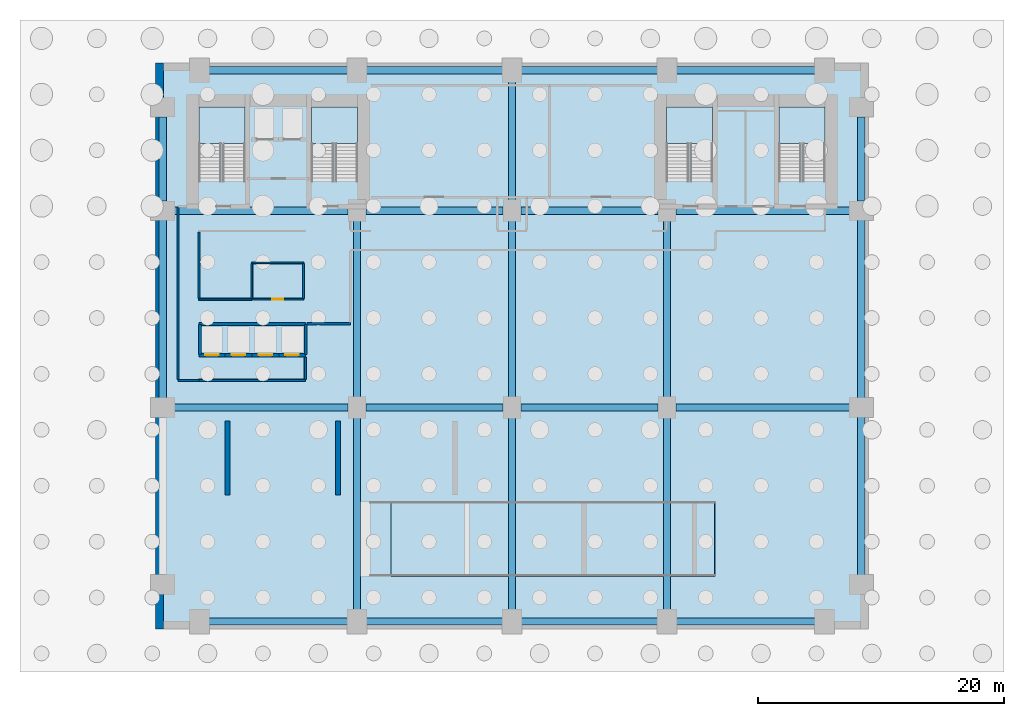
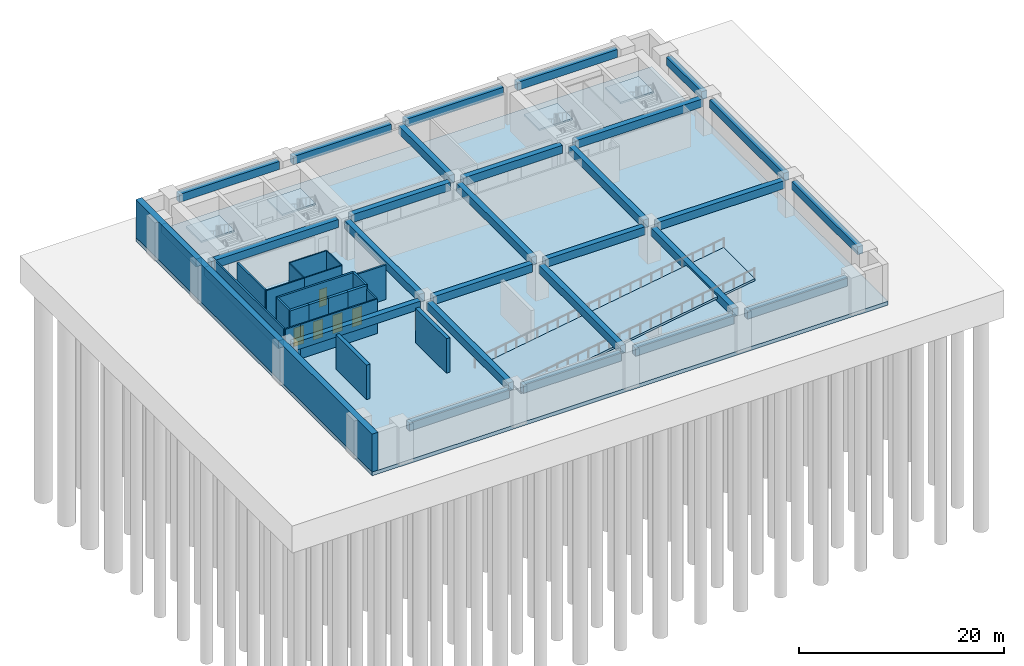
# One storey, part 2 of 8: 28 beams, 21 walls, 6 slabs, 5 doors, 5 openings, 4 elements without a shape of their own.
"""IFC4 building model written with IfcOpenShell, lengths in metres."""

import ifcopenshell
import ifcopenshell.guid

model = None  # the IFC model being written
_history = None  # IfcOwnerHistory: only IFC2X3 demands one
_inside = {}  # id of a spatial element -> (the spatial element, [elements in it])
_under = {}  # id of a project, library or spatial element -> (it, [spatial elements below it])
_declared = {}  # id of a project -> (the project, [libraries it declares])
_typed = {}  # id of a type object -> (the type object, [elements of that type])
_made_of = {}  # id of a material, layer set ... -> (it, [elements and type objects made of it])


def new_model(schema):
    """Start an empty IFC model of exactly this schema.

    Asked for "IFC4X3", IfcOpenShell would pick the latest addendum, in which some entities
    have other attributes; the version numbers below select the first issue.
    IFC2X3 requires an IfcOwnerHistory on every rooted entity: one is made here for all.
    """
    global model, _history
    if schema == "IFC4X3":
        model = ifcopenshell.file(schema_version=(4, 3, 0, 0))
    else:
        model = ifcopenshell.file(schema=schema)
    _inside.clear()
    _under.clear()
    _declared.clear()
    _typed.clear()
    _made_of.clear()
    _history = None
    if model.schema == "IFC2X3":
        org = make("IfcOrganization", Name="unknown")
        user = make(
            "IfcPersonAndOrganization",
            ThePerson=make("IfcPerson", FamilyName="unknown"),
            TheOrganization=org,
        )
        app = make(
            "IfcApplication",
            ApplicationDeveloper=org,
            Version="unknown",
            ApplicationFullName="unknown",
            ApplicationIdentifier="unknown",
        )
        _history = make(
            "IfcOwnerHistory",
            OwningUser=user,
            OwningApplication=app,
            ChangeAction="ADDED",
            CreationDate=0,
        )
    return model


def make(cls, **values):
    """One entity of the class cls with the attributes given. An attribute that is None is left unset."""
    return model.create_entity(
        cls, **{name: value for name, value in values.items() if value is not None}
    )


def rooted(cls, **values):
    """An entity with a GlobalId (a new one), such as an element, a storey or a relation."""
    return make(cls, GlobalId=ifcopenshell.guid.new(), OwnerHistory=_history, **values)


def si_unit(unit_type, name, prefix=None):
    """IfcSIUnit, for example si_unit("LENGTHUNIT", "METRE", prefix="MILLI")."""
    return make("IfcSIUnit", UnitType=unit_type, Prefix=prefix, Name=name)


def assignment(units):
    """IfcUnitAssignment: the units of a project."""
    return None if units is None else make("IfcUnitAssignment", Units=units)


def point(xyz):
    """IfcCartesianPoint."""
    return None if xyz is None else make("IfcCartesianPoint", Coordinates=xyz)


def direction(xyz):
    """IfcDirection."""
    return None if xyz is None else make("IfcDirection", DirectionRatios=xyz)


def frame(location, z_axis=None, x_axis=None):
    """IfcAxis2Placement3D, a coordinate frame: its origin and axes. An axis left out is left unset."""
    return make(
        "IfcAxis2Placement3D",
        Location=point(location),
        Axis=direction(z_axis),
        RefDirection=direction(x_axis),
    )


def frame_2d(location, x_axis=None):
    """IfcAxis2Placement2D, a coordinate frame in the plane: its origin and x axis."""
    return make(
        "IfcAxis2Placement2D", Location=point(location), RefDirection=direction(x_axis)
    )


def origin():
    """The frame at (0, 0, 0) with its axes left unset."""
    return frame((0.0, 0.0, 0.0))


def origin_2d():
    """The frame at (0, 0) in the plane with its x axis left unset."""
    return frame_2d((0.0, 0.0))


def place(relative_to, where):
    """IfcLocalPlacement: puts the frame where relative to a parent placement (None: the world)."""
    return make(
        "IfcLocalPlacement", PlacementRelTo=relative_to, RelativePlacement=where
    )


def context(
    kind, dimensions, precision=None, world=None, true_north=None, identifier=None
):
    """IfcGeometricRepresentationContext, for example the 3D "Model" context."""
    return make(
        "IfcGeometricRepresentationContext",
        ContextIdentifier=identifier,
        ContextType=kind,
        CoordinateSpaceDimension=dimensions,
        Precision=precision,
        WorldCoordinateSystem=world,
        TrueNorth=true_north,
    )


def subcontext(parent, identifier, kind, view, scale=None):
    """IfcGeometricRepresentationSubContext, for example "Body" below "Model"."""
    return make(
        "IfcGeometricRepresentationSubContext",
        ContextIdentifier=identifier,
        ContextType=kind,
        ParentContext=parent,
        TargetScale=scale,
        TargetView=view,
    )


def project(units=None, contexts=None):
    """IfcProject with its units and contexts."""
    return rooted(
        "IfcProject",
        Name="project",
        RepresentationContexts=contexts,
        UnitsInContext=assignment(units),
    )


def spatial(cls, under=None, at=None, **own):
    """A site, building, storey or space (cls), placed at a placement, below another one or the project."""
    s = rooted(cls, ObjectPlacement=at, **own)
    if under is not None:
        _under.setdefault(under.id(), (under, []))[1].append(s)
    return s


def polyline(points):
    """IfcPolyline through the points."""
    return make("IfcPolyline", Points=[point(p) for p in points])


def profile(cls, at=None, kind="AREA", **sizes):
    """A parametric profile (cls). Its sizes go by their IFC names, for example OverallWidth=200.0."""
    return make(cls, ProfileType=kind, Position=at, **sizes)


def rectangle(**sizes):
    """IfcRectangleProfileDef."""
    return profile("IfcRectangleProfileDef", **sizes)


def outline(outer, holes=None, kind="AREA"):
    """IfcArbitraryClosedProfileDef: a profile drawn as a closed curve; with holes, ...WithVoids."""
    if holes is None:
        return make("IfcArbitraryClosedProfileDef", ProfileType=kind, OuterCurve=outer)
    return make(
        "IfcArbitraryProfileDefWithVoids",
        ProfileType=kind,
        OuterCurve=outer,
        InnerCurves=holes,
    )


def extrude(swept, where, along, depth):
    """IfcExtrudedAreaSolid: the profile swept, set in the frame where, extruded along a direction by depth."""
    return make(
        "IfcExtrudedAreaSolid",
        SweptArea=swept,
        Position=where,
        ExtrudedDirection=direction(along),
        Depth=depth,
    )


def shape(context_of_items, identifier, shape_type, items):
    """IfcShapeRepresentation: the items that make up one representation, for example the "Body"."""
    return make(
        "IfcShapeRepresentation",
        ContextOfItems=context_of_items,
        RepresentationIdentifier=identifier,
        RepresentationType=shape_type,
        Items=items,
    )


def material(Name=None, Category=None):
    """IfcMaterial."""
    return make("IfcMaterial", Name=Name, Category=Category)


def layer(
    of_material, thickness, ventilated=None, Name=None, Category=None, Priority=None
):
    """IfcMaterialLayer: one layer of a wall or slab, of a material (None: an air gap)."""
    return make(
        "IfcMaterialLayer",
        Material=of_material,
        LayerThickness=thickness,
        IsVentilated=ventilated,
        Name=Name,
        Category=Category,
        Priority=Priority,
    )


def layer_set(layers, Name=None):
    """IfcMaterialLayerSet."""
    return make("IfcMaterialLayerSet", MaterialLayers=layers, LayerSetName=Name)


def material_profile(
    of_material, cross_section, Name=None, Category=None, Priority=None
):
    """IfcMaterialProfile: a cross section and its material."""
    return make(
        "IfcMaterialProfile",
        Name=Name,
        Material=of_material,
        Profile=cross_section,
        Priority=Priority,
        Category=Category,
    )


def profile_set(profiles, Name=None, composite=None):
    """IfcMaterialProfileSet."""
    return make(
        "IfcMaterialProfileSet",
        Name=Name,
        MaterialProfiles=profiles,
        CompositeProfile=composite,
    )


def made_of(thing, what):
    """Note that an element or type object is made of a material, layer set ...; save() writes the relation."""
    if what is not None:
        _made_of.setdefault(what.id(), (what, []))[1].append(thing)
    return thing


def type_object(cls, material=None, **own):
    """A type object (cls), such as IfcWallType, which elements share."""
    return made_of(rooted(cls, **own), material)


def element(
    cls,
    number,
    at=None,
    inside=None,
    cuts=None,
    type_object=None,
    material=None,
    context=None,
    identifier="Body",
    shape_type=None,
    held_by="IfcProductDefinitionShape",
    body=None,
    shapes=None,
    **own,
):
    """One element of the class cls, such as IfcWall. Its Tag is "e" and its number.

    at: its placement. inside: the storey or other place that contains it. cuts: it is an
    opening in that element (IfcRelVoidsElement). A single representation is given by context,
    identifier, shape_type and body (its items); several are given by shapes. held_by: the class
    of the entity that holds the representations. save() writes the other relations.
    """
    e = rooted(cls, Tag="e%d" % number, ObjectPlacement=at, **own)
    if body is not None:
        shapes = [shape(context, identifier, shape_type, body)]
    if shapes is not None:
        e.Representation = make(held_by, Representations=shapes)
    if inside is not None:
        _inside.setdefault(inside.id(), (inside, []))[1].append(e)
    if cuts is not None:
        rooted(
            "IfcRelVoidsElement", RelatingBuildingElement=cuts, RelatedOpeningElement=e
        )
    if type_object is not None:
        _typed.setdefault(type_object.id(), (type_object, []))[1].append(e)
    return made_of(e, material)


def fill(opening, filler):
    """IfcRelFillsElement: the door or window that sits in an opening."""
    return rooted(
        "IfcRelFillsElement",
        RelatingOpeningElement=opening,
        RelatedBuildingElement=filler,
    )


def aggregate(whole, parts):
    """IfcRelAggregates: a whole, such as a stair, and the parts it consists of."""
    return rooted("IfcRelAggregates", RelatingObject=whole, RelatedObjects=parts)


def save(model, path):
    """Write the relations noted so far, then the file.

    IfcRelAggregates (storeys below a building ...), IfcRelContainedInSpatialStructure (elements
    in a storey), IfcRelDefinesByType, IfcRelAssociatesMaterial and IfcRelDeclares: one each for
    every whole, place, type object, material and project.
    """
    for whole, parts in _under.values():
        aggregate(whole, parts)
    for where, things in _inside.values():
        rooted(
            "IfcRelContainedInSpatialStructure",
            RelatedElements=things,
            RelatingStructure=where,
        )
    for kind, things in _typed.values():
        rooted("IfcRelDefinesByType", RelatedObjects=things, RelatingType=kind)
    for what, things in _made_of.values():
        rooted("IfcRelAssociatesMaterial", RelatedObjects=things, RelatingMaterial=what)
    for by, libraries in _declared.values():
        rooted("IfcRelDeclares", RelatingContext=by, RelatedDefinitions=libraries)
    model.write(path)


model = new_model("IFC4")

# Units and contexts
model_context = context("Model", 3, precision=1e-05, world=origin(), true_north=direction((0.0, 1.0)))
body_context = subcontext(model_context, "Body", "Model", "MODEL_VIEW")
ifc_project = project(units=[si_unit("LENGTHUNIT", "METRE"), si_unit("AREAUNIT", "SQUARE_METRE"), si_unit("VOLUMEUNIT", "CUBIC_METRE"), si_unit("PLANEANGLEUNIT", "RADIAN"), si_unit("MASSUNIT", "GRAM", prefix="KILO")], contexts=[model_context])

# Site, building, storey
site_placement = place(None, origin())
site = spatial("IfcSite", under=ifc_project, at=site_placement, CompositionType="ELEMENT")
building_placement = place(site_placement, origin())
building = spatial("IfcBuilding", under=site, at=building_placement, Name="Sulina Concourse Tower", CompositionType="ELEMENT")
storey_placement = place(building_placement, frame((0.0, 0.0, -9.0)))
storey = spatial("IfcBuildingStorey", under=building, at=storey_placement, Name="B2", CompositionType="ELEMENT", Elevation=-9.0)

# Beams
ifc_material_1 = material(Name="Concrete C60/75", Category="concrete")
ifc_material_profile = material_profile(ifc_material_1, rectangle(XDim=0.60009765625, YDim=0.949951171875, at=origin_2d()), Name="RC 600x950")
ifc_profile_set = profile_set([ifc_material_profile], Name="Concrete C60/75")
beam_type = type_object("IfcBeamType", Name="Basement & Podium Primary Beam 600x950", PredefinedType="BEAM", material=ifc_profile_set)
for number, where, z_axis, x_axis, name in (
    (1, (4.3798828125, 0.60009765625, 3.625), (1.0, 0.0, 0.0), (0.0, 1.0, 0.0), "PB-S1-B2"),
    (2, (4.3798828125, 45.39990234375, 3.625), (1.0, 0.0, 0.0), (0.0, 1.0, 0.0), "PB-N1-B2"),
):
    element("IfcBeam", number, at=place(storey_placement, frame(where, z_axis=z_axis, x_axis=x_axis)), inside=storey, type_object=beam_type, Name=name, PredefinedType="BEAM", context=body_context, shape_type="SweptSolid", body=[
        extrude(rectangle(XDim=0.60009765625, YDim=0.949951171875, at=origin_2d()), origin(), (0.0, 0.0, 1.0), 11.240234375),
    ])
for number, where, z_axis, x_axis, name in (
    (3, (1.3798828125, 18.0, 3.625), (1.0, 0.0, 0.0), (0.0, 1.0, 0.0), "PB-M0-B2"),
    (4, (1.3798828125, 34.0, 3.625), (1.0, 0.0, 0.0), (0.0, 1.0, 0.0), "PB-C0-B2"),
):
    element("IfcBeam", number, at=place(storey_placement, frame(where, z_axis=z_axis, x_axis=x_axis)), inside=storey, type_object=beam_type, Name=name, PredefinedType="BEAM", context=body_context, shape_type="SweptSolid", body=[
        extrude(rectangle(XDim=0.60009765625, YDim=0.949951171875, at=origin_2d()), origin(), (0.0, 0.0, 1.0), 14.2900390625),
    ])
for number, where, z_axis, x_axis, name in (
    (5, (17.179931640625, 0.60009765625, 3.625), (1.0, 0.0, 0.0), (0.0, 1.0, 0.0), "PB-S2-B2"),
    (6, (17.179931640625, 45.39990234375, 3.625), (1.0, 0.0, 0.0), (0.0, 1.0, 0.0), "PB-N2-B2"),
):
    element("IfcBeam", number, at=place(storey_placement, frame(where, z_axis=z_axis, x_axis=x_axis)), inside=storey, type_object=beam_type, Name=name, PredefinedType="BEAM", context=body_context, shape_type="SweptSolid", body=[
        extrude(rectangle(XDim=0.60009765625, YDim=0.949951171875, at=origin_2d()), origin(), (0.0, 0.0, 1.0), 11.0400390625),
    ])
for number, where, z_axis, x_axis, name in (
    (7, (17.1298828125, 18.0, 3.625), (1.0, 0.0, 0.0), (0.0, 1.0, 0.0), "PB-M2-B2"),
    (8, (17.1298828125, 34.0, 3.625), (1.0, 0.0, 0.0), (0.0, 1.0, 0.0), "PB-C2-B2"),
):
    element("IfcBeam", number, at=place(storey_placement, frame(where, z_axis=z_axis, x_axis=x_axis)), inside=storey, type_object=beam_type, Name=name, PredefinedType="BEAM", context=body_context, shape_type="SweptSolid", body=[
        extrude(rectangle(XDim=0.60009765625, YDim=0.949951171875, at=origin_2d()), origin(), (0.0, 0.0, 1.0), 11.14013671875),
    ])
for number, where, z_axis, x_axis, name in (
    (9, (29.780029296875, 0.60009765625, 3.625), (1.0, 0.0, 0.0), (0.0, 1.0, 0.0), "PB-S3-B2"),
    (10, (29.780029296875, 45.39990234375, 3.625), (1.0, 0.0, 0.0), (0.0, 1.0, 0.0), "PB-N3-B2"),
):
    element("IfcBeam", number, at=place(storey_placement, frame(where, z_axis=z_axis, x_axis=x_axis)), inside=storey, type_object=beam_type, Name=name, PredefinedType="BEAM", context=body_context, shape_type="SweptSolid", body=[
        extrude(rectangle(XDim=0.60009765625, YDim=0.949951171875, at=origin_2d()), origin(), (0.0, 0.0, 1.0), 11.0400390625),
    ])
for number, where, z_axis, x_axis, name in (
    (11, (29.72998046875, 18.0, 3.625), (1.0, 0.0, 0.0), (0.0, 1.0, 0.0), "PB-M3-B2"),
    (12, (29.72998046875, 34.0, 3.625), (1.0, 0.0, 0.0), (0.0, 1.0, 0.0), "PB-C3-B2"),
):
    element("IfcBeam", number, at=place(storey_placement, frame(where, z_axis=z_axis, x_axis=x_axis)), inside=storey, type_object=beam_type, Name=name, PredefinedType="BEAM", context=body_context, shape_type="SweptSolid", body=[
        extrude(rectangle(XDim=0.60009765625, YDim=0.949951171875, at=origin_2d()), origin(), (0.0, 0.0, 1.0), 11.14013671875),
    ])
for number, where, z_axis, x_axis, name in (
    (13, (42.3798828125, 0.60009765625, 3.625), (1.0, 0.0, 0.0), (0.0, 1.0, 0.0), "PB-S4-B2"),
    (14, (42.3798828125, 45.39990234375, 3.625), (1.0, 0.0, 0.0), (0.0, 1.0, 0.0), "PB-N4-B2"),
):
    element("IfcBeam", number, at=place(storey_placement, frame(where, z_axis=z_axis, x_axis=x_axis)), inside=storey, type_object=beam_type, Name=name, PredefinedType="BEAM", context=body_context, shape_type="SweptSolid", body=[
        extrude(rectangle(XDim=0.60009765625, YDim=0.949951171875, at=origin_2d()), origin(), (0.0, 0.0, 1.0), 11.240234375),
    ])
for number, where, z_axis, x_axis, name in (
    (15, (42.330078125, 18.0, 3.625), (1.0, 0.0, 0.0), (0.0, 1.0, 0.0), "PB-M5-B2"),
    (16, (42.330078125, 34.0, 3.625), (1.0, 0.0, 0.0), (0.0, 1.0, 0.0), "PB-C5-B2"),
):
    element("IfcBeam", number, at=place(storey_placement, frame(where, z_axis=z_axis, x_axis=x_axis)), inside=storey, type_object=beam_type, Name=name, PredefinedType="BEAM", context=body_context, shape_type="SweptSolid", body=[
        extrude(rectangle(XDim=0.60009765625, YDim=0.949951171875, at=origin_2d()), origin(), (0.0, 0.0, 1.0), 14.2900390625),
    ])
beam_1_placement = place(storey_placement, frame((57.39990234375, 4.3798828125, 3.625), z_axis=(0.0, 1.0, 0.0), x_axis=(-1.0, 0.0, 0.0)))
element("IfcBeam", 17, at=beam_1_placement, inside=storey, type_object=beam_type, Name="PB-E1-B2", PredefinedType="BEAM", context=body_context, shape_type="SweptSolid", body=[
    extrude(rectangle(XDim=0.60009765625, YDim=0.949951171875, at=origin_2d()), origin(), (0.0, 0.0, 1.0), 12.840087890625),
])
for number, where, z_axis, x_axis, name in (
    (18, (0.60009765625, 18.780029296875, 3.625), (0.0, 1.0, 0.0), (-1.0, 0.0, 0.0), "PB-W2-B2"),
    (19, (57.39990234375, 18.780029296875, 3.625), (0.0, 1.0, 0.0), (-1.0, 0.0, 0.0), "PB-E2-B2"),
):
    element("IfcBeam", number, at=place(storey_placement, frame(where, z_axis=z_axis, x_axis=x_axis)), inside=storey, type_object=beam_type, Name=name, PredefinedType="BEAM", context=body_context, shape_type="SweptSolid", body=[
        extrude(rectangle(XDim=0.60009765625, YDim=0.949951171875, at=origin_2d()), origin(), (0.0, 0.0, 1.0), 14.43994140625),
    ])
for number, where, z_axis, x_axis, name in (
    (20, (0.60009765625, 34.780029296875, 3.625), (0.0, 1.0, 0.0), (-1.0, 0.0, 0.0), "PB-W3-B2"),
    (21, (57.39990234375, 34.780029296875, 3.625), (0.0, 1.0, 0.0), (-1.0, 0.0, 0.0), "PB-E3-B2"),
):
    element("IfcBeam", number, at=place(storey_placement, frame(where, z_axis=z_axis, x_axis=x_axis)), inside=storey, type_object=beam_type, Name=name, PredefinedType="BEAM", context=body_context, shape_type="SweptSolid", body=[
        extrude(rectangle(XDim=0.60009765625, YDim=0.949951171875, at=origin_2d()), origin(), (0.0, 0.0, 1.0), 6.840087890625),
    ])
beam_2_placement = place(storey_placement, frame((16.39990234375, 1.3798828125, 3.625), z_axis=(0.0, 1.0, 0.0), x_axis=(-1.0, 0.0, 0.0)))
element("IfcBeam", 22, at=beam_2_placement, inside=storey, type_object=beam_type, Name="PB-NS1A-B2", PredefinedType="BEAM", context=body_context, shape_type="SweptSolid", body=[
    extrude(rectangle(XDim=0.60009765625, YDim=0.949951171875, at=origin_2d()), origin(), (0.0, 0.0, 1.0), 15.89013671875),
])
beam_3_placement = place(storey_placement, frame((16.39990234375, 18.72998046875, 3.625), z_axis=(0.0, 1.0, 0.0), x_axis=(-1.0, 0.0, 0.0)))
element("IfcBeam", 23, at=beam_3_placement, inside=storey, type_object=beam_type, Name="PB-NS1B-B2", PredefinedType="BEAM", context=body_context, shape_type="SweptSolid", body=[
    extrude(rectangle(XDim=0.60009765625, YDim=0.949951171875, at=origin_2d()), origin(), (0.0, 0.0, 1.0), 14.5400390625),
])
beam_4_placement = place(storey_placement, frame((29.0, 1.3798828125, 3.625), z_axis=(0.0, 1.0, 0.0), x_axis=(-1.0, 0.0, 0.0)))
element("IfcBeam", 24, at=beam_4_placement, inside=storey, type_object=beam_type, Name="PB-NS2A-B2", PredefinedType="BEAM", context=body_context, shape_type="SweptSolid", body=[
    extrude(rectangle(XDim=0.60009765625, YDim=0.949951171875, at=origin_2d()), origin(), (0.0, 0.0, 1.0), 15.89013671875),
])
beam_5_placement = place(storey_placement, frame((29.0, 18.72998046875, 3.625), z_axis=(0.0, 1.0, 0.0), x_axis=(-1.0, 0.0, 0.0)))
element("IfcBeam", 25, at=beam_5_placement, inside=storey, type_object=beam_type, Name="PB-NS2B-B2", PredefinedType="BEAM", context=body_context, shape_type="SweptSolid", body=[
    extrude(rectangle(XDim=0.60009765625, YDim=0.949951171875, at=origin_2d()), origin(), (0.0, 0.0, 1.0), 14.5400390625),
])
beam_6_placement = place(storey_placement, frame((29.0, 34.72998046875, 3.625), z_axis=(0.0, 1.0, 0.0), x_axis=(-1.0, 0.0, 0.0)))
element("IfcBeam", 26, at=beam_6_placement, inside=storey, type_object=beam_type, Name="PB-NS2C-B2", PredefinedType="BEAM", context=body_context, shape_type="SweptSolid", body=[
    extrude(rectangle(XDim=0.60009765625, YDim=0.949951171875, at=origin_2d()), origin(), (0.0, 0.0, 1.0), 9.89013671875),
])
beam_7_placement = place(storey_placement, frame((41.60009765625, 1.3798828125, 3.625), z_axis=(0.0, 1.0, 0.0), x_axis=(-1.0, 0.0, 0.0)))
element("IfcBeam", 27, at=beam_7_placement, inside=storey, type_object=beam_type, Name="PB-NS3A-B2", PredefinedType="BEAM", context=body_context, shape_type="SweptSolid", body=[
    extrude(rectangle(XDim=0.60009765625, YDim=0.949951171875, at=origin_2d()), origin(), (0.0, 0.0, 1.0), 15.89013671875),
])
beam_8_placement = place(storey_placement, frame((41.60009765625, 18.72998046875, 3.625), z_axis=(0.0, 1.0, 0.0), x_axis=(-1.0, 0.0, 0.0)))
element("IfcBeam", 28, at=beam_8_placement, inside=storey, type_object=beam_type, Name="PB-NS3B-B2", PredefinedType="BEAM", context=body_context, shape_type="SweptSolid", body=[
    extrude(rectangle(XDim=0.60009765625, YDim=0.949951171875, at=origin_2d()), origin(), (0.0, 0.0, 1.0), 14.5400390625),
])

# Slabs
ifc_material_2 = material(Name="Concrete C50/60", Category="concrete")
ifc_layer_1 = layer(ifc_material_2, 0.449951171875)
ifc_layer_set_1 = layer_set([ifc_layer_1], Name="Concrete C50/60")
slab_type_1 = type_object("IfcSlabType", Name="Basement Structural Base Slab 450mm", PredefinedType="BASESLAB", material=ifc_layer_set_1)
slab_1_placement = place(storey_placement, frame((0.0, 0.0, -0.449951171875)))
element("IfcSlab", 29, at=slab_1_placement, inside=storey, type_object=slab_type_1, Name="B2 structural base slab", PredefinedType="BASESLAB", context=body_context, shape_type="SweptSolid", body=[
    extrude(outline(polyline([(0.0, 0.0), (58.0, 0.0), (58.0, 46.0), (0.0, 46.0), (0.0, 0.0)])), origin(), (0.0, 0.0, 1.0), 0.449951171875),
])
ifc_material_3 = material(Name="Concrete C50/60", Category="concrete")
ifc_layer_2 = layer(ifc_material_3, 0.25)
ifc_layer_set_2 = layer_set([ifc_layer_2], Name="Concrete C50/60")
slab_type_2 = type_object("IfcSlabType", Name="High-Rise Composite Floor Slab 250mm", PredefinedType="FLOOR", material=ifc_layer_set_2)
slab_2_placement = place(storey_placement, frame((19.14990234375, 4.25, 0.26513671875), z_axis=(-0.158680645189, 0.0, 0.987329961483), x_axis=(0.0, 1.0, 0.0)))
element("IfcSlab", 30, at=slab_2_placement, inside=storey, type_object=slab_type_2, Name="B2 structural concrete vehicle ramp slab RMP-VEH-B2", PredefinedType="FLOOR", context=body_context, shape_type="SweptSolid", body=[
    extrude(outline(polyline([(0.0, 0.0), (6.10009765625, 0.0), (6.10009765625, -26.66796223366707), (0.0, -26.66796223366707), (0.0, 0.0)])), origin(), (0.0, 0.0, -1.0), 0.25),
])

# Stair, slab
ifc_material_4 = material(Name="Concrete C50/60", Category="concrete")
stair_type_1 = type_object("IfcStairType", Name="Primary Core Dog-Leg Exit Stair 1800mm", PredefinedType="HALF_TURN_STAIR", material=ifc_material_4)
stair_1_placement = place(storey_placement, origin())
stair_1 = element("IfcStair", 31, at=stair_1_placement, inside=storey, type_object=stair_type_1, Name="B2 ST-1", PredefinedType="HALF_TURN_STAIR")
ifc_material_5 = material(Name="Concrete C50/60", Category="concrete")
ifc_layer_3 = layer(ifc_material_5, 0.199951171875)
ifc_layer_set_3 = layer_set([ifc_layer_3], Name="Concrete C50/60")
slab_type_3 = type_object("IfcSlabType", Name="Primary Core Stair Landing Slab 200mm", PredefinedType="LANDING", material=ifc_layer_set_3)
slab_3_placement = place(storey_placement, frame((0.0, 0.0, 2.050048828125)))
slab_3 = element("IfcSlab", 32, at=slab_3_placement, type_object=slab_type_3, Name="ST-1 landing 1", PredefinedType="LANDING", context=body_context, shape_type="SweptSolid", body=[
    extrude(outline(polyline([(7.304931640625, 39.455078125), (7.304931640625, 42.425048828125), (3.554931640625, 42.425048828125), (3.554931640625, 39.455078125), (7.304931640625, 39.455078125)])), origin(), (0.0, 0.0, 1.0), 0.199951171875),
])
aggregate(stair_1, [slab_3])

stair_2_placement = place(storey_placement, origin())
stair_2 = element("IfcStair", 33, at=stair_2_placement, inside=storey, type_object=stair_type_1, Name="B2 ST-2", PredefinedType="HALF_TURN_STAIR")
slab_4_placement = place(storey_placement, frame((0.0, 0.0, 2.050048828125)))
slab_4 = element("IfcSlab", 34, at=slab_4_placement, type_object=slab_type_3, Name="ST-2 landing 1", PredefinedType="LANDING", context=body_context, shape_type="SweptSolid", body=[
    extrude(outline(polyline([(16.445068359375, 39.455078125), (16.445068359375, 42.425048828125), (12.695068359375, 42.425048828125), (12.695068359375, 39.455078125), (16.445068359375, 39.455078125)])), origin(), (0.0, 0.0, 1.0), 0.199951171875),
])
aggregate(stair_2, [slab_4])

ifc_material_6 = material(Name="Concrete C50/60", Category="concrete")
stair_type_2 = type_object("IfcStairType", Name="Portal & Podium Core Exit Stair 1820mm", PredefinedType="HALF_TURN_STAIR", material=ifc_material_6)
stair_3_placement = place(storey_placement, origin())
stair_3 = element("IfcStair", 35, at=stair_3_placement, inside=storey, type_object=stair_type_2, Name="B2 ST-3", PredefinedType="HALF_TURN_STAIR")
slab_5_placement = place(storey_placement, frame((0.0, 0.0, 2.050048828125)))
slab_5 = element("IfcSlab", 36, at=slab_5_placement, type_object=slab_type_3, Name="ST-3 landing 1", PredefinedType="LANDING", context=body_context, shape_type="SweptSolid", body=[
    extrude(outline(polyline([(45.304931640625, 39.455078125), (45.304931640625, 42.425048828125), (41.554931640625, 42.425048828125), (41.554931640625, 39.455078125), (45.304931640625, 39.455078125)])), origin(), (0.0, 0.0, 1.0), 0.199951171875),
])
aggregate(stair_3, [slab_5])

stair_4_placement = place(storey_placement, origin())
stair_4 = element("IfcStair", 37, at=stair_4_placement, inside=storey, type_object=stair_type_2, Name="B2 ST-4", PredefinedType="HALF_TURN_STAIR")
slab_6_placement = place(storey_placement, frame((0.0, 0.0, 2.050048828125)))
slab_6 = element("IfcSlab", 38, at=slab_6_placement, type_object=slab_type_3, Name="ST-4 landing 1", PredefinedType="LANDING", context=body_context, shape_type="SweptSolid", body=[
    extrude(outline(polyline([(54.445068359375, 39.455078125), (54.445068359375, 42.425048828125), (50.695068359375, 42.425048828125), (50.695068359375, 39.455078125), (54.445068359375, 39.455078125)])), origin(), (0.0, 0.0, 1.0), 0.199951171875),
])
aggregate(stair_4, [slab_6])

# Walls
ifc_material_7 = material(Name="Concrete C50/60", Category="concrete")
ifc_layer_4 = layer(ifc_material_7, 0.64990234375)
ifc_layer_set_4 = layer_set([ifc_layer_4], Name="Concrete C50/60")
wall_type_1 = type_object("IfcWallType", Name="Basement Perimeter Retaining Wall 650mm", PredefinedType="SOLIDWALL", material=ifc_layer_set_4)
wall_1_placement = place(storey_placement, frame((0.324951171875, 0.0, 0.0), z_axis=(0.0, 0.0, 1.0), x_axis=(0.0, 1.0, 0.0)))
element("IfcWall", 39, at=wall_1_placement, inside=storey, type_object=wall_type_1, Name="B2 basement retaining wall RW-W", PredefinedType="SOLIDWALL", context=body_context, shape_type="SweptSolid", body=[
    extrude(rectangle(XDim=46.0, YDim=0.64990234375, at=frame_2d((23.0, 0.0))), origin(), (0.0, 0.0, 1.0), 4.5),
])
ifc_material_8 = material(Name="Concrete C50/60", Category="concrete")
ifc_layer_5 = layer(ifc_material_8, 0.219970703125)
ifc_layer_set_5 = layer_set([ifc_layer_5], Name="Concrete C50/60")
wall_type_2 = type_object("IfcWallType", Name="Core Lift Hoistway Divider Wall 220mm", PredefinedType="SOLIDWALL", material=ifc_layer_set_5)
wall_2_placement = place(storey_placement, frame((3.550048828125, 24.780029296875, 0.0), z_axis=(0.0, 0.0, 1.0), x_axis=(1.0, 0.0, 0.0)))
element("IfcWall", 40, at=wall_2_placement, inside=storey, type_object=wall_type_2, Name="B2 shaft divider wall HW-LP1-N", PredefinedType="SOLIDWALL", context=body_context, shape_type="SweptSolid", body=[
    extrude(rectangle(XDim=8.64990234375, YDim=0.219970703125, at=frame_2d((4.324951171875, 0.0))), origin(), (0.0, 0.0, 1.0), 4.5),
])
for number, where, z_axis, x_axis, name in (
    (41, (3.6298828125, 22.300048828125, 0.0), (0.0, 0.0, 1.0), (0.0, 1.0, 0.0), "B2 shaft divider wall HW-LP1-W"),
    (42, (12.219970703125, 22.300048828125, 0.0), (0.0, 0.0, 1.0), (0.0, 1.0, 0.0), "B2 shaft divider wall HW-LP1-E"),
):
    element("IfcWall", number, at=place(storey_placement, frame(where, z_axis=z_axis, x_axis=x_axis)), inside=storey, type_object=wall_type_2, Name=name, PredefinedType="SOLIDWALL", context=body_context, shape_type="SweptSolid", body=[
        extrude(rectangle(XDim=2.449951171875, YDim=0.219970703125, at=frame_2d((1.22509765625, 0.0))), origin(), (0.0, 0.0, 1.0), 4.5),
    ])

# Wall, opening, door
ifc_material_9 = material(Name="Concrete C50/60", Category="concrete")
ifc_layer_6 = layer(ifc_material_9, 0.300048828125)
ifc_layer_set_6 = layer_set([ifc_layer_6], Name="Concrete C50/60")
wall_type_3 = type_object("IfcWallType", Name="Core Lift Hoistway Wall 300mm", PredefinedType="SOLIDWALL", material=ifc_layer_set_6)
wall_3_placement = place(storey_placement, frame((5.64990234375, 22.25, 0.0), z_axis=(0.0, 0.0, 1.0), x_axis=(-1.0, 0.0, 0.0)))
wall_3 = element("IfcWall", 43, at=wall_3_placement, inside=storey, type_object=wall_type_3, Name="B2 hoistway enclosure wall LP-01", PredefinedType="SOLIDWALL", context=body_context, shape_type="SweptSolid", body=[
    extrude(rectangle(XDim=2.099853515625, YDim=0.300048828125, at=frame_2d((1.0498046875, 0.0))), origin(), (0.0, 0.0, 1.0), 4.5),
])
opening_1_placement = place(wall_3_placement, frame((0.5, 0.0, 0.0)))
opening_1 = element("IfcOpeningElement", 44, at=opening_1_placement, cuts=wall_3, Name="Opening LD-01", PredefinedType="OPENING", context=body_context, shape_type="SweptSolid", body=[
    extrude(rectangle(XDim=1.10009765625, YDim=2.199951171875, at=frame_2d((0.550048828125, 1.10009765625))), frame((0.0, 0.159912109375, 0.0), z_axis=(0.0, -1.0, 0.0), x_axis=(1.0, 0.0, 0.0)), (0.0, 0.0, 1.0), 0.320068359375),
])
ifc_material_10 = material(Name="Stainless steel lift landing door", Category="steel")
ifc_layer_7 = layer(ifc_material_10, 0.050048828125)
ifc_layer_set_7 = layer_set([ifc_layer_7], Name="Stainless steel lift landing door")
door_type_1 = type_object("IfcDoorType", Name="Passenger Lift Sliding Landing Door 1100x2200", OperationType="SLIDING_TO_LEFT", PredefinedType="DOOR", material=ifc_layer_set_7)
door_1_placement = place(opening_1_placement, origin())
door_1 = element("IfcDoor", 45, at=door_1_placement, inside=storey, type_object=door_type_1, Name="B2 lift landing sliding door LP-01", OperationType="SLIDING_TO_LEFT", OverallHeight=2.199951171875, OverallWidth=1.10009765625, PredefinedType="DOOR", context=body_context, shape_type="SweptSolid", body=[
    extrude(rectangle(XDim=1.10009765625, YDim=2.199951171875, at=frame_2d((0.550048828125, 1.10009765625))), frame((0.0, 0.02490234375, 0.0), z_axis=(0.0, -1.0, 0.0), x_axis=(1.0, 0.0, 0.0)), (0.0, 0.0, 1.0), 0.050048828125),
])
fill(opening_1, door_1)

wall_4_placement = place(storey_placement, frame((7.85009765625, 22.25, 0.0), z_axis=(0.0, 0.0, 1.0), x_axis=(-1.0, 0.0, 0.0)))
wall_4 = element("IfcWall", 46, at=wall_4_placement, inside=storey, type_object=wall_type_3, Name="B2 hoistway enclosure wall LP-02", PredefinedType="SOLIDWALL", context=body_context, shape_type="SweptSolid", body=[
    extrude(rectangle(XDim=2.2001953125, YDim=0.300048828125, at=frame_2d((1.10009765625, 0.0))), origin(), (0.0, 0.0, 1.0), 4.5),
])
opening_2_placement = place(wall_4_placement, frame((0.550048828125, 0.0, 0.0)))
opening_2 = element("IfcOpeningElement", 47, at=opening_2_placement, cuts=wall_4, Name="Opening LD-01", PredefinedType="OPENING", context=body_context, shape_type="SweptSolid", body=[
    extrude(rectangle(XDim=1.10009765625, YDim=2.199951171875, at=frame_2d((0.550048828125, 1.10009765625))), frame((0.0, 0.159912109375, 0.0), z_axis=(0.0, -1.0, 0.0), x_axis=(1.0, 0.0, 0.0)), (0.0, 0.0, 1.0), 0.320068359375),
])
door_2_placement = place(opening_2_placement, origin())
door_2 = element("IfcDoor", 48, at=door_2_placement, inside=storey, type_object=door_type_1, Name="B2 lift landing sliding door LP-02", OperationType="SLIDING_TO_RIGHT", OverallHeight=2.199951171875, OverallWidth=1.10009765625, PredefinedType="DOOR", context=body_context, shape_type="SweptSolid", body=[
    extrude(rectangle(XDim=1.10009765625, YDim=2.199951171875, at=frame_2d((0.550048828125, 1.10009765625))), frame((0.0, 0.02490234375, 0.0), z_axis=(0.0, -1.0, 0.0), x_axis=(1.0, 0.0, 0.0)), (0.0, 0.0, 1.0), 0.050048828125),
])
fill(opening_2, door_2)

wall_5_placement = place(storey_placement, frame((10.050048828125, 22.25, 0.0), z_axis=(0.0, 0.0, 1.0), x_axis=(-1.0, 0.0, 0.0)))
wall_5 = element("IfcWall", 49, at=wall_5_placement, inside=storey, type_object=wall_type_3, Name="B2 hoistway enclosure wall LP-03", PredefinedType="SOLIDWALL", context=body_context, shape_type="SweptSolid", body=[
    extrude(rectangle(XDim=2.199951171875, YDim=0.300048828125, at=frame_2d((1.10009765625, 0.0))), origin(), (0.0, 0.0, 1.0), 4.5),
])
opening_3_placement = place(wall_5_placement, frame((0.550048828125, 0.0, 0.0)))
opening_3 = element("IfcOpeningElement", 50, at=opening_3_placement, cuts=wall_5, Name="Opening LD-01", PredefinedType="OPENING", context=body_context, shape_type="SweptSolid", body=[
    extrude(rectangle(XDim=1.10009765625, YDim=2.199951171875, at=frame_2d((0.550048828125, 1.10009765625))), frame((0.0, 0.159912109375, 0.0), z_axis=(0.0, -1.0, 0.0), x_axis=(1.0, 0.0, 0.0)), (0.0, 0.0, 1.0), 0.320068359375),
])
door_3_placement = place(opening_3_placement, origin())
door_3 = element("IfcDoor", 51, at=door_3_placement, inside=storey, type_object=door_type_1, Name="B2 lift landing sliding door LP-03", OperationType="SLIDING_TO_LEFT", OverallHeight=2.199951171875, OverallWidth=1.10009765625, PredefinedType="DOOR", context=body_context, shape_type="SweptSolid", body=[
    extrude(rectangle(XDim=1.10009765625, YDim=2.199951171875, at=frame_2d((0.550048828125, 1.10009765625))), frame((0.0, 0.02490234375, 0.0), z_axis=(0.0, -1.0, 0.0), x_axis=(1.0, 0.0, 0.0)), (0.0, 0.0, 1.0), 0.050048828125),
])
fill(opening_3, door_3)

wall_6_placement = place(storey_placement, frame((12.199951171875, 22.25, 0.0), z_axis=(0.0, 0.0, 1.0), x_axis=(-1.0, 0.0, 0.0)))
wall_6 = element("IfcWall", 52, at=wall_6_placement, inside=storey, type_object=wall_type_3, Name="B2 hoistway enclosure wall LP-04", PredefinedType="SOLIDWALL", context=body_context, shape_type="SweptSolid", body=[
    extrude(rectangle(XDim=2.14990234375, YDim=0.300048828125, at=frame_2d((1.074951171875, 0.0))), origin(), (0.0, 0.0, 1.0), 4.5),
])
opening_4_placement = place(wall_6_placement, frame((0.52490234375, 0.0, 0.0)))
opening_4 = element("IfcOpeningElement", 53, at=opening_4_placement, cuts=wall_6, Name="Opening LD-01", PredefinedType="OPENING", context=body_context, shape_type="SweptSolid", body=[
    extrude(rectangle(XDim=1.10009765625, YDim=2.199951171875, at=frame_2d((0.550048828125, 1.10009765625))), frame((0.0, 0.159912109375, 0.0), z_axis=(0.0, -1.0, 0.0), x_axis=(1.0, 0.0, 0.0)), (0.0, 0.0, 1.0), 0.320068359375),
])
door_4_placement = place(opening_4_placement, origin())
door_4 = element("IfcDoor", 54, at=door_4_placement, inside=storey, type_object=door_type_1, Name="B2 lift landing sliding door LP-04", OperationType="SLIDING_TO_RIGHT", OverallHeight=2.199951171875, OverallWidth=1.10009765625, PredefinedType="DOOR", context=body_context, shape_type="SweptSolid", body=[
    extrude(rectangle(XDim=1.10009765625, YDim=2.199951171875, at=frame_2d((0.550048828125, 1.10009765625))), frame((0.0, 0.02490234375, 0.0), z_axis=(0.0, -1.0, 0.0), x_axis=(1.0, 0.0, 0.0)), (0.0, 0.0, 1.0), 0.050048828125),
])
fill(opening_4, door_4)

# Walls
ifc_material_11 = material(Name="Gypsum board on steel stud", Category="steel")
ifc_layer_8 = layer(ifc_material_11, 0.14990234375)
ifc_layer_set_8 = layer_set([ifc_layer_8], Name="Gypsum board on steel stud")
wall_type_4 = type_object("IfcWallType", Name="Inter-Tenancy Acoustic Partition 150mm", PredefinedType="PARTITIONING", material=ifc_layer_set_8)
wall_7_placement = place(storey_placement, frame((3.550048828125, 20.199951171875, 0.0), z_axis=(0.0, 0.0, 1.0), x_axis=(1.0, 0.0, 0.0)))
element("IfcWall", 55, at=wall_7_placement, inside=storey, type_object=wall_type_4, Name="B2 interior partition 002", PredefinedType="PARTITIONING", context=body_context, shape_type="SweptSolid", body=[
    extrude(rectangle(XDim=8.64990234375, YDim=0.14990234375, at=frame_2d((4.324951171875, 0.0))), origin(), (0.0, 0.0, 1.0), 4.10009765625),
])
wall_8_placement = place(storey_placement, frame((3.550048828125, 26.800048828125, 0.0), z_axis=(0.0, 0.0, 1.0), x_axis=(1.0, 0.0, 0.0)))
element("IfcWall", 56, at=wall_8_placement, inside=storey, type_object=wall_type_4, Name="B2 interior partition 004", PredefinedType="PARTITIONING", context=body_context, shape_type="SweptSolid", body=[
    extrude(rectangle(XDim=4.300048828125, YDim=0.14990234375, at=frame_2d((2.14990234375, 0.0))), origin(), (0.0, 0.0, 1.0), 4.10009765625),
])
wall_9_placement = place(storey_placement, frame((12.199951171875, 20.27490234375, 0.0), z_axis=(0.0, 0.0, 1.0), x_axis=(0.0, 1.0, 0.0)))
element("IfcWall", 57, at=wall_9_placement, inside=storey, type_object=wall_type_4, Name="B2 interior partition 026", PredefinedType="PARTITIONING", context=body_context, shape_type="SweptSolid", body=[
    extrude(rectangle(XDim=1.8251953125, YDim=0.14990234375, at=frame_2d((0.91259765625, 0.0))), origin(), (0.0, 0.0, 1.0), 4.10009765625),
])
ifc_material_12 = material(Name="Gypsum board on steel stud", Category="steel")
ifc_layer_9 = layer(ifc_material_12, 0.179931640625)
ifc_layer_set_9 = layer_set([ifc_layer_9], Name="Gypsum board on steel stud")
wall_type_5 = type_object("IfcWallType", Name="Protected Corridor & Riser Partition 180mm", PredefinedType="PARTITIONING", material=ifc_layer_set_9)
wall_10_placement = place(storey_placement, frame((1.85009765625, 20.199951171875, 0.0), z_axis=(0.0, 0.0, 1.0), x_axis=(1.0, 0.0, 0.0)))
element("IfcWall", 58, at=wall_10_placement, inside=storey, type_object=wall_type_5, Name="B2 interior partition 001", PredefinedType="PARTITIONING", context=body_context, shape_type="SweptSolid", body=[
    extrude(rectangle(XDim=1.699951171875, YDim=0.179931640625, at=frame_2d((0.85009765625, 0.0))), origin(), (0.0, 0.0, 1.0), 4.10009765625),
])
wall_11_placement = place(storey_placement, frame((12.330078125, 24.800048828125, 0.0), z_axis=(0.0, 0.0, 1.0), x_axis=(1.0, 0.0, 0.0)))
element("IfcWall", 59, at=wall_11_placement, inside=storey, type_object=wall_type_5, Name="B2 interior partition 003", PredefinedType="PARTITIONING", context=body_context, shape_type="SweptSolid", body=[
    extrude(rectangle(XDim=3.52001953125, YDim=0.179931640625, at=frame_2d((1.760009765625, 0.0))), origin(), (0.0, 0.0, 1.0), 4.10009765625),
])
wall_12_placement = place(storey_placement, frame((1.85009765625, 20.2900390625, 0.0), z_axis=(0.0, 0.0, 1.0), x_axis=(0.0, 1.0, 0.0)))
element("IfcWall", 60, at=wall_12_placement, inside=storey, type_object=wall_type_5, Name="B2 interior partition 022", PredefinedType="PARTITIONING", context=body_context, shape_type="SweptSolid", body=[
    extrude(rectangle(XDim=13.969970703125, YDim=0.179931640625, at=frame_2d((6.98486328125, 0.0))), origin(), (0.0, 0.0, 1.0), 4.10009765625),
])
wall_13_placement = place(storey_placement, frame((3.550048828125, 26.875, 0.0), z_axis=(0.0, 0.0, 1.0), x_axis=(0.0, 1.0, 0.0)))
element("IfcWall", 61, at=wall_13_placement, inside=storey, type_object=wall_type_5, Name="B2 interior partition 023", PredefinedType="PARTITIONING", context=body_context, shape_type="SweptSolid", body=[
    extrude(rectangle(XDim=5.39990234375, YDim=0.179931640625, at=frame_2d((2.699951171875, 0.0))), origin(), (0.0, 0.0, 1.0), 4.10009765625),
])
ifc_material_13 = material(Name="Concrete C60/75", Category="concrete")
ifc_layer_10 = layer(ifc_material_13, 0.39990234375)
ifc_layer_set_10 = layer_set([ifc_layer_10], Name="Concrete C60/75")
wall_type_6 = type_object("IfcWallType", Name="Protected Stair Core Shear Wall 400mm", PredefinedType="SHEAR", material=ifc_layer_set_10)
for number, where, z_axis, x_axis, name in (
    (62, (14.840087890625, 10.89990234375, 0.0), (0.0, 0.0, 1.0), (0.0, 1.0, 0.0), "B2 sub-ramp structural transfer support wall 2"),
    (63, (5.8798828125, 10.89990234375, 0.0), (0.0, 0.0, 1.0), (0.0, 1.0, 0.0), "B2 sub-ramp structural transfer support wall 3"),
):
    element("IfcWall", number, at=place(storey_placement, frame(where, z_axis=z_axis, x_axis=x_axis)), inside=storey, type_object=wall_type_6, Name=name, PredefinedType="SHEAR", context=body_context, shape_type="SweptSolid", body=[
        extrude(rectangle(XDim=6.0, YDim=0.39990234375, at=frame_2d((3.0, 0.0))), origin(), (0.0, 0.0, 1.0), 4.10009765625),
    ])

# Wall, opening, door
ifc_material_14 = material(Name="Gypsum board on steel stud", Category="steel")
ifc_layer_11 = layer(ifc_material_14, 0.125)
ifc_layer_set_11 = layer_set([ifc_layer_11], Name="Gypsum board on steel stud")
wall_type_7 = type_object("IfcWallType", Name="Wet-Area Moisture-Resistant Partition 125mm", PredefinedType="PARTITIONING", material=ifc_layer_set_11)
wall_14_placement = place(storey_placement, frame((7.85009765625, 26.800048828125, 0.0), z_axis=(0.0, 0.0, 1.0), x_axis=(1.0, 0.0, 0.0)))
wall_14 = element("IfcWall", 64, at=wall_14_placement, inside=storey, type_object=wall_type_7, Name="B2 interior partition 005", PredefinedType="PARTITIONING", context=body_context, shape_type="SweptSolid", body=[
    extrude(rectangle(XDim=4.199951171875, YDim=0.125, at=frame_2d((2.10009765625, 0.0))), origin(), (0.0, 0.0, 1.0), 4.10009765625),
])
opening_5_placement = place(wall_14_placement, frame((1.639892578125, 0.0, 0.0)))
opening_5 = element("IfcOpeningElement", 65, at=opening_5_placement, cuts=wall_14, Name="Opening DR-61", PredefinedType="OPENING", context=body_context, shape_type="SweptSolid", body=[
    extrude(rectangle(XDim=0.919921875, YDim=2.10009765625, at=frame_2d((0.4599609375, 1.050048828125))), frame((0.0, 0.072509765625, 0.0), z_axis=(0.0, -1.0, 0.0), x_axis=(1.0, 0.0, 0.0)), (0.0, 0.0, 1.0), 0.14501953125),
])
ifc_material_15 = material(Name="Oak-veneered fire door leaf")
ifc_layer_12 = layer(ifc_material_15, 0.050048828125)
ifc_layer_set_12 = layer_set([ifc_layer_12], Name="Oak-veneered fire door leaf")
door_type_2 = type_object("IfcDoorType", Name="Accessible WC Door 920x2100", OperationType="NOTDEFINED", PredefinedType="DOOR", material=ifc_layer_set_12)
door_5_placement = place(opening_5_placement, origin())
door_5 = element("IfcDoor", 66, at=door_5_placement, inside=storey, type_object=door_type_2, Name="B2 interior door B2-WC-ACC", OperationType="SINGLE_SWING_LEFT", OverallHeight=2.10009765625, OverallWidth=0.919921875, PredefinedType="DOOR", context=body_context, shape_type="SweptSolid", body=[
    extrude(rectangle(XDim=0.919921875, YDim=2.10009765625, at=frame_2d((0.4599609375, 1.050048828125))), frame((0.0, 0.02490234375, 0.0), z_axis=(0.0, -1.0, 0.0), x_axis=(1.0, 0.0, 0.0)), (0.0, 0.0, 1.0), 0.050048828125),
])
fill(opening_5, door_5)

# Walls
wall_15_placement = place(storey_placement, frame((7.85009765625, 29.75, 0.0), z_axis=(0.0, 0.0, 1.0), x_axis=(1.0, 0.0, 0.0)))
element("IfcWall", 67, at=wall_15_placement, inside=storey, type_object=wall_type_7, Name="B2 interior partition 006", PredefinedType="PARTITIONING", context=body_context, shape_type="SweptSolid", body=[
    extrude(rectangle(XDim=4.199951171875, YDim=0.125, at=frame_2d((2.10009765625, 0.0))), origin(), (0.0, 0.0, 1.0), 4.10009765625),
])
wall_16_placement = place(storey_placement, frame((7.85009765625, 26.875, 0.0), z_axis=(0.0, 0.0, 1.0), x_axis=(0.0, 1.0, 0.0)))
element("IfcWall", 68, at=wall_16_placement, inside=storey, type_object=wall_type_7, Name="B2 interior partition 024", PredefinedType="PARTITIONING", context=body_context, shape_type="SweptSolid", body=[
    extrude(rectangle(XDim=2.8125, YDim=0.125, at=frame_2d((1.40625, 0.0))), origin(), (0.0, 0.0, 1.0), 4.10009765625),
])
wall_17_placement = place(storey_placement, frame((12.050048828125, 26.862548828125, 0.0), z_axis=(0.0, 0.0, 1.0), x_axis=(0.0, 1.0, 0.0)))
element("IfcWall", 69, at=wall_17_placement, inside=storey, type_object=wall_type_7, Name="B2 interior partition 025", PredefinedType="PARTITIONING", context=body_context, shape_type="SweptSolid", body=[
    extrude(rectangle(XDim=2.824951171875, YDim=0.125, at=frame_2d((1.41259765625, 0.0))), origin(), (0.0, 0.0, 1.0), 4.10009765625),
])

save(model, "model.ifc")
